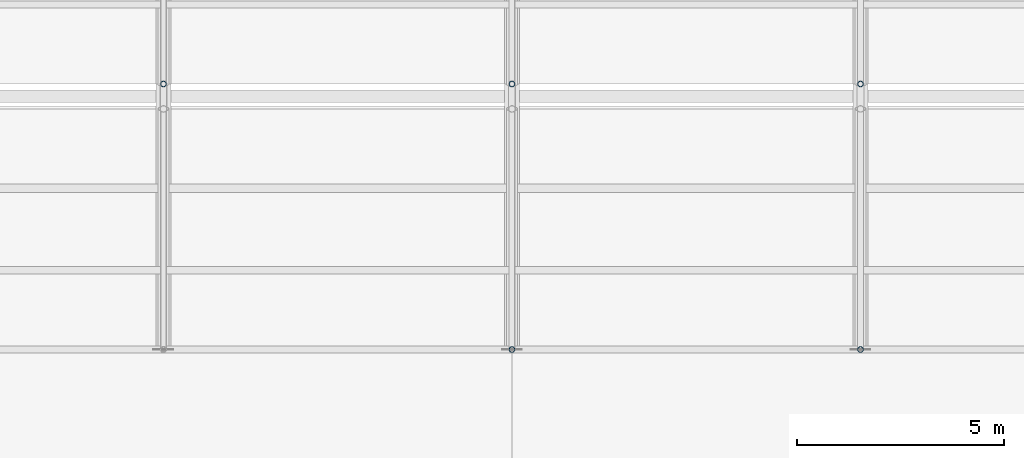
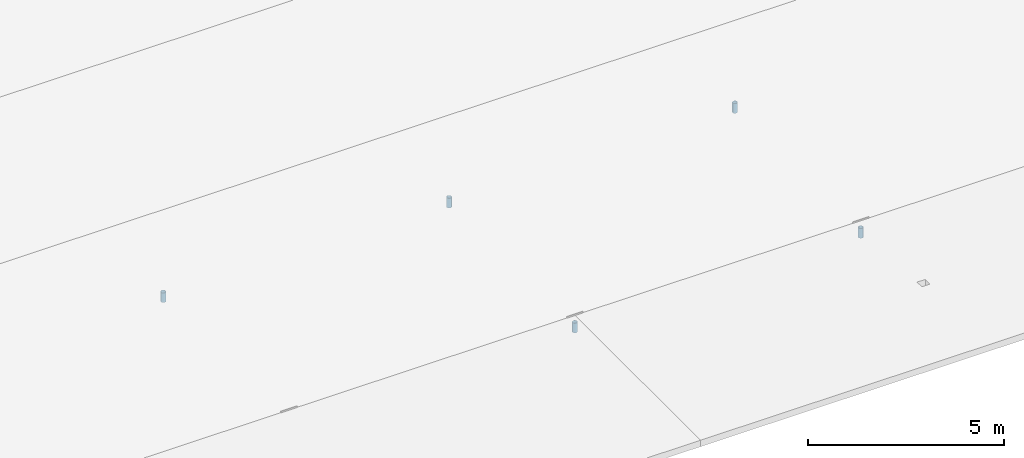
# One storey, part 121 of 194: 5 members.
"""IFC4 building model written with IfcOpenShell, lengths in metres."""

from ifc_helpers import new_model, si_unit, direction, frame, origin, origin_2d, place, context, subcontext, project, spatial, hollow_circle, extrude, material, material_profile, profile_set, type_object, element, save


model = new_model("IFC4")

# Units and contexts
model_context = context("Model", 3, precision=1e-05, world=origin(), true_north=direction((0.0, 1.0)))
body_context = subcontext(model_context, "Body", "Model", "MODEL_VIEW")
ifc_project = project(units=[si_unit("LENGTHUNIT", "METRE"), si_unit("AREAUNIT", "SQUARE_METRE"), si_unit("VOLUMEUNIT", "CUBIC_METRE"), si_unit("PLANEANGLEUNIT", "RADIAN"), si_unit("MASSUNIT", "GRAM", prefix="KILO")], contexts=[model_context])

# Site, building, storey
site_placement = place(None, origin())
site = spatial("IfcSite", under=ifc_project, at=site_placement, CompositionType="ELEMENT")
building_placement = place(site_placement, origin())
building = spatial("IfcBuilding", under=site, at=building_placement, Name="Kazenagashi Tramway Depot", CompositionType="ELEMENT")
storey_placement = place(building_placement, frame((0.0, 0.0, 23.7)))
storey = spatial("IfcBuildingStorey", under=building, at=storey_placement, Name="ROOF", CompositionType="ELEMENT", Elevation=23.7)

# Members
ifc_material = material(Name="Steel STK490", Category="steel")
ifc_material_profile = material_profile(ifc_material, hollow_circle(Radius=0.0699, WallThickness=0.0066, at=origin_2d()), Name="CHS-139.8x6.6")
ifc_profile_set = profile_set([ifc_material_profile], Name="Steel STK490")
member_type = type_object("IfcMemberType", Name="TS-02", PredefinedType="STRUT", material=ifc_profile_set)
for number, where, z_axis, x_axis, name in (
    (1, (86.8, 29.3, -8.9), (0.0, 0.0, 1.0), (1.0, 0.0, 0.0), "Roof Truss TS-02 MEM-1301"),
    (2, (95.2, 22.9, -8.9), (0.0, 0.0, 1.0), (1.0, 0.0, 0.0), "Roof Truss TS-02 MEM-1325"),
    (3, (95.2, 29.3, -8.9), (0.0, 0.0, 1.0), (1.0, 0.0, 0.0), "Roof Truss TS-02 MEM-1330"),
    (4, (103.6, 22.9, -8.9), (0.0, 0.0, 1.0), (1.0, 0.0, 0.0), "Roof Truss TS-02 MEM-1354"),
    (5, (103.6, 29.3, -8.9), (0.0, 0.0, 1.0), (1.0, 0.0, 0.0), "Roof Truss TS-02 MEM-1359"),
):
    element("IfcMember", number, at=place(storey_placement, frame(where, z_axis=z_axis, x_axis=x_axis)), inside=storey, type_object=member_type, Name=name, PredefinedType="STRUT", context=body_context, shape_type="SweptSolid", body=[
        extrude(hollow_circle(Radius=0.0699, WallThickness=0.0066, at=origin_2d()), origin(), (0.0, 0.0, 1.0), 0.3),
    ])

save(model, "model.ifc")
